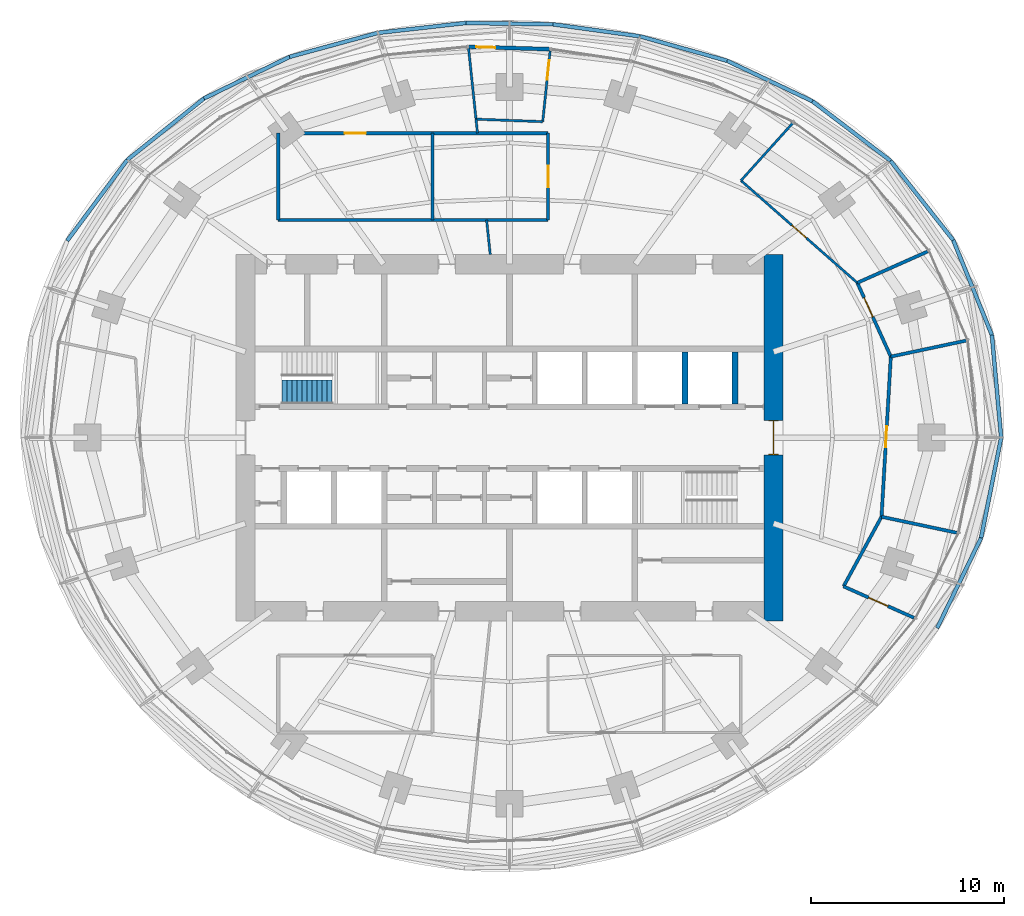
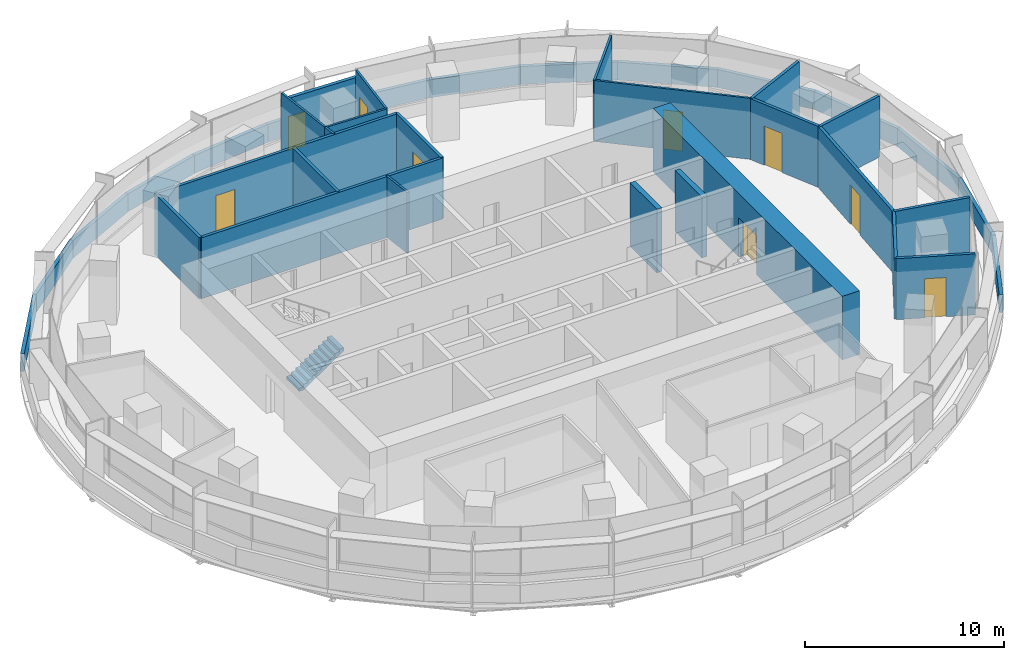
# One storey, part 14 of 17: 38 walls, 9 doors, 1 stair flight, 9 openings, 1 element without a shape of its own.
"""IFC4 building model written with IfcOpenShell, lengths in metres."""

from ifc_helpers import new_model, si_unit, direction, frame, frame_2d, origin, place, context, subcontext, project, spatial, polyline, rectangle, outline, extrude, material, layer, layer_set, type_object, element, fill, aggregate, save


model = new_model("IFC4")

# Units and contexts
model_context = context("Model", 3, precision=1e-05, world=origin(), true_north=direction((0.0, 1.0)))
body_context = subcontext(model_context, "Body", "Model", "MODEL_VIEW")
ifc_project = project(units=[si_unit("LENGTHUNIT", "METRE"), si_unit("AREAUNIT", "SQUARE_METRE"), si_unit("VOLUMEUNIT", "CUBIC_METRE"), si_unit("PLANEANGLEUNIT", "RADIAN"), si_unit("MASSUNIT", "GRAM", prefix="KILO")], contexts=[model_context])

# Site, building, storey
site_placement = place(None, origin())
site = spatial("IfcSite", under=ifc_project, at=site_placement, CompositionType="ELEMENT")
building_placement = place(site_placement, origin())
building = spatial("IfcBuilding", under=site, at=building_placement, Name="Marramba Exchange Tower", CompositionType="ELEMENT")
storey_placement = place(building_placement, frame((0.0, 0.0, 172.10009765625)))
storey = spatial("IfcBuildingStorey", under=building, at=storey_placement, Name="L41", CompositionType="ELEMENT", Elevation=172.10009765625)

# Wall, opening, door
ifc_material_1 = material(Name="Plasterboard on staggered double steel studs, acoustic insulation", Category="steel")
ifc_layer_1 = layer(ifc_material_1, 0.169921875)
ifc_layer_set_1 = layer_set([ifc_layer_1], Name="Acoustic partition 170")
wall_type_1 = type_object("IfcWallType", Name="Acoustic partition 170", PredefinedType="PARTITIONING", material=ifc_layer_set_1)
wall_1_placement = place(storey_placement, frame((17.334716796875, -7.718017578125, 0.0), z_axis=(0.0, 0.0, 1.0), x_axis=(0.913549606868, -0.406727323635, 0.0)))
wall_1 = element("IfcWall", 1, at=wall_1_placement, inside=storey, type_object=wall_type_1, Name="Acoustic partition L41 12", PredefinedType="PARTITIONING", context=body_context, shape_type="SweptSolid", body=[
    extrude(rectangle(XDim=4.0, YDim=0.169921875, at=frame_2d((2.0, 0.0))), origin(), (0.0, 0.0, 1.0), 3.739990234375),
])
opening_1_placement = place(wall_1_placement, frame((1.424072265625, 0.0, 0.0)))
opening_1 = element("IfcOpeningElement", 2, at=opening_1_placement, cuts=wall_1, Name="Opening D15", PredefinedType="OPENING", context=body_context, shape_type="SweptSolid", body=[
    extrude(rectangle(XDim=1.10009765625, YDim=2.39990234375, at=frame_2d((0.550048828125, 1.199951171875))), frame((0.0, 0.094970703125, 0.0), z_axis=(0.0, -1.0, 0.0), x_axis=(1.0, 0.0, 0.0)), (0.0, 0.0, 1.0), 0.18994140625),
])
ifc_material_2 = material(Name="Timber door", Category="wood")
door_type_1 = type_object("IfcDoorType", Name="Glazed meeting room door 1100x2400", OperationType="SINGLE_SWING_LEFT", PredefinedType="DOOR", material=ifc_material_2)
door_1_placement = place(opening_1_placement, origin())
door_1 = element("IfcDoor", 3, at=door_1_placement, inside=storey, type_object=door_type_1, Name="D15 Client Meeting Room 1 L41", OperationType="SINGLE_SWING_LEFT", OverallHeight=2.39990234375, OverallWidth=1.10009765625, PredefinedType="DOOR", context=body_context, shape_type="SweptSolid", body=[
    extrude(rectangle(XDim=1.10009765625, YDim=2.39990234375, at=frame_2d((0.550048828125, 1.199951171875))), frame((0.0, 0.02490234375, 0.0), z_axis=(0.0, -1.0, 0.0), x_axis=(1.0, 0.0, 0.0)), (0.0, 0.0, 1.0), 0.050048828125),
])
fill(opening_1, door_1)

# Walls
wall_2_placement = place(storey_placement, frame((19.3056640625, -4.103515625, 0.0), z_axis=(0.0, 0.0, 1.0), x_axis=(-0.478739945202, -0.877956755694, 0.0)))
element("IfcWall", 4, at=wall_2_placement, inside=storey, type_object=wall_type_1, Name="Acoustic partition L41 13", PredefinedType="PARTITIONING", context=body_context, shape_type="SweptSolid", body=[
    extrude(rectangle(XDim=4.116943359375, YDim=0.169921875, at=frame_2d((2.05859375, 0.0))), origin(), (0.0, 0.0, 1.0), 3.739990234375),
])
wall_3_placement = place(storey_placement, frame((19.3056640625, -4.103515625, 0.0), z_axis=(0.0, 0.0, 1.0), x_axis=(0.978137903693, -0.207957306576, 0.0)))
element("IfcWall", 5, at=wall_3_placement, inside=storey, type_object=wall_type_1, Name="Acoustic partition L41 14", PredefinedType="PARTITIONING", context=body_context, shape_type="SweptSolid", body=[
    extrude(rectangle(XDim=3.999755859375, YDim=0.169921875, at=frame_2d((2.0, 0.0))), origin(), (0.0, 0.0, 1.0), 3.739990234375),
])

# Wall, opening, door
wall_4_placement = place(storey_placement, frame((19.787841796875, 4.2060546875, 0.0), z_axis=(0.0, 0.0, 1.0), x_axis=(-0.0579293499, -0.998320685161, 0.0)))
wall_4 = element("IfcWall", 6, at=wall_4_placement, inside=storey, type_object=wall_type_1, Name="Acoustic partition L41 15", PredefinedType="PARTITIONING", context=body_context, shape_type="SweptSolid", body=[
    extrude(rectangle(XDim=8.323486328125, YDim=0.169921875, at=frame_2d((4.16162109375, 0.0))), origin(), (0.0, 0.0, 1.0), 3.739990234375),
])
opening_2_placement = place(wall_4_placement, frame((3.612060546875, 0.0, 0.0)))
opening_2 = element("IfcOpeningElement", 7, at=opening_2_placement, cuts=wall_4, Name="Opening D15", PredefinedType="OPENING", context=body_context, shape_type="SweptSolid", body=[
    extrude(rectangle(XDim=1.10009765625, YDim=2.39990234375, at=frame_2d((0.550048828125, 1.199951171875))), frame((0.0, 0.094970703125, 0.0), z_axis=(0.0, -1.0, 0.0), x_axis=(1.0, 0.0, 0.0)), (0.0, 0.0, 1.0), 0.18994140625),
])
door_2_placement = place(opening_2_placement, origin())
door_2 = element("IfcDoor", 8, at=door_2_placement, inside=storey, type_object=door_type_1, Name="D15 Client Meeting Room 2 L41", OperationType="SINGLE_SWING_RIGHT", OverallHeight=2.39990234375, OverallWidth=1.10009765625, PredefinedType="DOOR", context=body_context, shape_type="SweptSolid", body=[
    extrude(rectangle(XDim=1.10009765625, YDim=2.39990234375, at=frame_2d((0.550048828125, 1.199951171875))), frame((0.0, 0.02490234375, 0.0), z_axis=(0.0, -1.0, 0.0), x_axis=(1.0, 0.0, 0.0)), (0.0, 0.0, 1.0), 0.050048828125),
])
fill(opening_2, door_2)

# Wall
wall_5_placement = place(storey_placement, frame((19.787841796875, 4.2060546875, 0.0), z_axis=(0.0, 0.0, 1.0), x_axis=(0.978152955943, 0.207886494942, 0.0)))
element("IfcWall", 9, at=wall_5_placement, inside=storey, type_object=wall_type_1, Name="Acoustic partition L41 16", PredefinedType="PARTITIONING", context=body_context, shape_type="SweptSolid", body=[
    extrude(rectangle(XDim=4.0, YDim=0.169921875, at=frame_2d((2.0, 0.0))), origin(), (0.0, 0.0, 1.0), 3.739990234375),
])

# Wall, opening, door
wall_6_placement = place(storey_placement, frame((18.048828125, 8.035888671875, 0.0), z_axis=(0.0, 0.0, 1.0), x_axis=(0.413444314282, -0.910529405889, 0.0)))
wall_6 = element("IfcWall", 10, at=wall_6_placement, inside=storey, type_object=wall_type_1, Name="Acoustic partition L41 17", PredefinedType="PARTITIONING", context=body_context, shape_type="SweptSolid", body=[
    extrude(rectangle(XDim=4.2060546875, YDim=0.169921875, at=frame_2d((2.10302734375, 0.0))), origin(), (0.0, 0.0, 1.0), 3.739990234375),
])
opening_3_placement = place(wall_6_placement, frame((0.85107421875, 0.0, 0.0)))
opening_3 = element("IfcOpeningElement", 11, at=opening_3_placement, cuts=wall_6, Name="Opening D15", PredefinedType="OPENING", context=body_context, shape_type="SweptSolid", body=[
    extrude(rectangle(XDim=1.10009765625, YDim=2.39990234375, at=frame_2d((0.550048828125, 1.199951171875))), frame((0.0, 0.094970703125, 0.0), z_axis=(0.0, -1.0, 0.0), x_axis=(1.0, 0.0, 0.0)), (0.0, 0.0, 1.0), 0.18994140625),
])
door_3_placement = place(opening_3_placement, origin())
door_3 = element("IfcDoor", 12, at=door_3_placement, inside=storey, type_object=door_type_1, Name="D15 Client Meeting Room 3 L41", OperationType="SINGLE_SWING_LEFT", OverallHeight=2.39990234375, OverallWidth=1.10009765625, PredefinedType="DOOR", context=body_context, shape_type="SweptSolid", body=[
    extrude(rectangle(XDim=1.10009765625, YDim=2.39990234375, at=frame_2d((0.550048828125, 1.199951171875))), frame((0.0, 0.02490234375, 0.0), z_axis=(0.0, -1.0, 0.0), x_axis=(1.0, 0.0, 0.0)), (0.0, 0.0, 1.0), 0.050048828125),
])
fill(opening_3, door_3)

# Wall
wall_7_placement = place(storey_placement, frame((18.048828125, 8.035888671875, 0.0), z_axis=(0.0, 0.0, 1.0), x_axis=(0.913539509426, 0.406750002727, 0.0)))
element("IfcWall", 13, at=wall_7_placement, inside=storey, type_object=wall_type_1, Name="Acoustic partition L41 18", PredefinedType="PARTITIONING", context=body_context, shape_type="SweptSolid", body=[
    extrude(rectangle(XDim=4.0, YDim=0.169921875, at=frame_2d((2.0, 0.0))), origin(), (0.0, 0.0, 1.0), 3.739990234375),
])

# Wall, opening, door
wall_8_placement = place(storey_placement, frame((2.0, 11.300048828125, 0.0), z_axis=(0.0, 0.0, 1.0), x_axis=(0.0, 1.0, 0.0)))
wall_8 = element("IfcWall", 14, at=wall_8_placement, inside=storey, type_object=wall_type_1, Name="Acoustic partition L41 21", PredefinedType="PARTITIONING", context=body_context, shape_type="SweptSolid", body=[
    extrude(rectangle(XDim=4.5, YDim=0.169921875, at=frame_2d((2.25, 0.0))), origin(), (0.0, 0.0, 1.0), 3.739990234375),
])
opening_4_placement = place(wall_8_placement, frame((1.699951171875, 0.0, 0.0)))
opening_4 = element("IfcOpeningElement", 15, at=opening_4_placement, cuts=wall_8, Name="Opening D15", PredefinedType="OPENING", context=body_context, shape_type="SweptSolid", body=[
    extrude(rectangle(XDim=1.10009765625, YDim=2.39990234375, at=frame_2d((0.550048828125, 1.199951171875))), frame((0.0, 0.094970703125, 0.0), z_axis=(0.0, -1.0, 0.0), x_axis=(1.0, 0.0, 0.0)), (0.0, 0.0, 1.0), 0.18994140625),
])
door_4_placement = place(opening_4_placement, origin())
door_4 = element("IfcDoor", 16, at=door_4_placement, inside=storey, type_object=door_type_1, Name="D15 Meeting Room 2 L41", OperationType="SINGLE_SWING_RIGHT", OverallHeight=2.39990234375, OverallWidth=1.10009765625, PredefinedType="DOOR", context=body_context, shape_type="SweptSolid", body=[
    extrude(rectangle(XDim=1.10009765625, YDim=2.39990234375, at=frame_2d((0.550048828125, 1.199951171875))), frame((0.0, 0.02490234375, 0.0), z_axis=(0.0, -1.0, 0.0), x_axis=(1.0, 0.0, 0.0)), (0.0, 0.0, 1.0), 0.050048828125),
])
fill(opening_4, door_4)

# Wall
wall_9_placement = place(storey_placement, frame((-4.0, 15.800048828125, 0.0), z_axis=(0.0, 0.0, 1.0), x_axis=(0.0, -1.0, 0.0)))
element("IfcWall", 17, at=wall_9_placement, inside=storey, type_object=wall_type_1, Name="Acoustic partition L41 27", PredefinedType="PARTITIONING", context=body_context, shape_type="SweptSolid", body=[
    extrude(rectangle(XDim=4.5, YDim=0.169921875, at=frame_2d((2.25, 0.0))), origin(), (0.0, 0.0, 1.0), 3.739990234375),
])

# Wall, opening, door
wall_10_placement = place(storey_placement, frame((2.0, 15.800048828125, 0.0), z_axis=(0.0, 0.0, 1.0), x_axis=(-1.0, 0.0, 0.0)))
wall_10 = element("IfcWall", 18, at=wall_10_placement, inside=storey, type_object=wall_type_1, Name="Acoustic partition L41 28", PredefinedType="PARTITIONING", context=body_context, shape_type="SweptSolid", body=[
    extrude(rectangle(XDim=14.0, YDim=0.169921875, at=frame_2d((7.0, 0.0))), origin(), (0.0, 0.0, 1.0), 3.739990234375),
])
opening_5_placement = place(wall_10_placement, frame((9.449951171875, 0.0, 0.0)))
opening_5 = element("IfcOpeningElement", 19, at=opening_5_placement, cuts=wall_10, Name="Opening D15", PredefinedType="OPENING", context=body_context, shape_type="SweptSolid", body=[
    extrude(rectangle(XDim=1.10009765625, YDim=2.39990234375, at=frame_2d((0.550048828125, 1.199951171875))), frame((0.0, 0.094970703125, 0.0), z_axis=(0.0, -1.0, 0.0), x_axis=(1.0, 0.0, 0.0)), (0.0, 0.0, 1.0), 0.18994140625),
])
door_5_placement = place(opening_5_placement, origin())
door_5 = element("IfcDoor", 20, at=door_5_placement, inside=storey, type_object=door_type_1, Name="D15 Meeting Room 1 L41", OperationType="SINGLE_SWING_RIGHT", OverallHeight=2.39990234375, OverallWidth=1.10009765625, PredefinedType="DOOR", context=body_context, shape_type="SweptSolid", body=[
    extrude(rectangle(XDim=1.10009765625, YDim=2.39990234375, at=frame_2d((0.550048828125, 1.199951171875))), frame((0.0, 0.02490234375, 0.0), z_axis=(0.0, -1.0, 0.0), x_axis=(1.0, 0.0, 0.0)), (0.0, 0.0, 1.0), 0.050048828125),
])
fill(opening_5, door_5)

# Walls
wall_11_placement = place(storey_placement, frame((-12.0, 11.300048828125, 0.0), z_axis=(0.0, 0.0, 1.0), x_axis=(1.0, 0.0, 0.0)))
element("IfcWall", 21, at=wall_11_placement, inside=storey, type_object=wall_type_1, Name="Acoustic partition L41 29", PredefinedType="PARTITIONING", context=body_context, shape_type="SweptSolid", body=[
    extrude(rectangle(XDim=14.0, YDim=0.169921875, at=frame_2d((7.0, 0.0))), origin(), (0.0, 0.0, 1.0), 3.739990234375),
])
wall_12_placement = place(storey_placement, frame((-12.0, 15.800048828125, 0.0), z_axis=(0.0, 0.0, 1.0), x_axis=(0.0, -1.0, 0.0)))
element("IfcWall", 22, at=wall_12_placement, inside=storey, type_object=wall_type_1, Name="Acoustic partition L41 30", PredefinedType="PARTITIONING", context=body_context, shape_type="SweptSolid", body=[
    extrude(rectangle(XDim=4.5, YDim=0.169921875, at=frame_2d((2.25, 0.0))), origin(), (0.0, 0.0, 1.0), 3.739990234375),
])

# Wall, opening, door
ifc_material_3 = material(Name="Concrete N50", Category="concrete")
ifc_layer_2 = layer(ifc_material_3, 1.0)
ifc_layer_set_2 = layer_set([ifc_layer_2], Name="Core wall 1000")
wall_type_2 = type_object("IfcWallType", Name="Core wall 1000", PredefinedType="SHEAR", material=ifc_layer_set_2)
wall_13_placement = place(storey_placement, frame((13.699951171875, -9.5, 0.0), z_axis=(0.0, 0.0, 1.0), x_axis=(0.0, 1.0, 0.0)))
wall_13 = element("IfcWall", 23, at=wall_13_placement, inside=storey, type_object=wall_type_2, Name="Core wall E L41", PredefinedType="SHEAR", context=body_context, shape_type="SweptSolid", body=[
    extrude(rectangle(XDim=19.0, YDim=1.0, at=frame_2d((9.5, 0.0))), origin(), (0.0, 0.0, 1.0), 3.89990234375),
])
opening_6_placement = place(wall_13_placement, frame((8.60009765625, 0.0, 0.0)))
opening_6 = element("IfcOpeningElement", 24, at=opening_6_placement, cuts=wall_13, Name="Opening D1", PredefinedType="OPENING", context=body_context, shape_type="SweptSolid", body=[
    extrude(rectangle(XDim=1.800048828125, YDim=2.39990234375, at=frame_2d((0.89990234375, 1.199951171875))), frame((0.0, 0.510009765625, 0.0), z_axis=(0.0, -1.0, 0.0), x_axis=(1.0, 0.0, 0.0)), (0.0, 0.0, 1.0), 1.02001953125),
])
ifc_material_4 = material(Name="Steel-framed door", Category="steel")
door_type_2 = type_object("IfcDoorType", Name="Lobby exit door 1800x2400", OperationType="DOUBLE_DOOR_SINGLE_SWING", PredefinedType="DOOR", material=ifc_material_4)
door_6_placement = place(opening_6_placement, origin())
door_6 = element("IfcDoor", 25, at=door_6_placement, inside=storey, type_object=door_type_2, Name="D1 lobby exit east L41", OperationType="DOUBLE_DOOR_SINGLE_SWING", OverallHeight=2.39990234375, OverallWidth=1.800048828125, PredefinedType="DOOR", context=body_context, shape_type="SweptSolid", body=[
    extrude(rectangle(XDim=1.719970703125, YDim=2.35986328125, at=frame_2d((0.89990234375, 1.179931640625))), frame((0.0, 0.02490234375, 0.0), z_axis=(0.0, -1.0, 0.0), x_axis=(1.0, 0.0, 0.0)), (0.0, 0.0, 1.0), 0.050048828125),
    extrude(rectangle(XDim=0.04, YDim=2.39990234375, at=frame_2d((0.02001953125, 1.199951171875))), frame((0.0, 0.25, 0.0), z_axis=(0.0, -1.0, 0.0), x_axis=(1.0, 0.0, 0.0)), (0.0, 0.0, 1.0), 0.5),
    extrude(rectangle(XDim=0.04, YDim=2.39990234375, at=frame_2d((1.780029296875, 1.199951171875))), frame((0.0, 0.25, 0.0), z_axis=(0.0, -1.0, 0.0), x_axis=(1.0, 0.0, 0.0)), (0.0, 0.0, 1.0), 0.5),
    extrude(rectangle(XDim=1.719970703125, YDim=0.04, at=frame_2d((0.89990234375, 2.3798828125))), frame((0.0, 0.25, 0.0), z_axis=(0.0, -1.0, 0.0), x_axis=(1.0, 0.0, 0.0)), (0.0, 0.0, 1.0), 0.5),
])
fill(opening_6, door_6)

# Wall
ifc_layer_3 = layer(ifc_material_3, 0.300048828125)
ifc_layer_set_3 = layer_set([ifc_layer_3], Name="Core wall 300")
wall_type_3 = type_object("IfcWallType", Name="Core wall 300", PredefinedType="SHEAR", material=ifc_layer_set_3)
wall_14_placement = place(storey_placement, frame((9.10009765625, 1.75, 0.0), z_axis=(0.0, 0.0, 1.0), x_axis=(0.0, 1.0, 0.0)))
element("IfcWall", 26, at=wall_14_placement, inside=storey, type_object=wall_type_3, Name="Core wall ED L41", PredefinedType="SHEAR", context=body_context, shape_type="SweptSolid", body=[
    extrude(rectangle(XDim=2.699951171875, YDim=0.300048828125, at=frame_2d((1.35009765625, 0.0))), origin(), (0.0, 0.0, 1.0), 3.89990234375),
])

# Wall, opening, door
ifc_material_5 = material(Name="Aluminium-framed bronze cladding on steel studs", Category="steel")
ifc_layer_4 = layer(ifc_material_5, 0.199951171875)
ifc_layer_set_4 = layer_set([ifc_layer_4], Name="Door screen wall 200")
wall_type_4 = type_object("IfcWallType", Name="Door screen wall 200", PredefinedType="SOLIDWALL", material=ifc_layer_set_4)
wall_15_placement = place(storey_placement, frame((2.11865234375, 20.157470703125, 0.0), z_axis=(0.0, 0.0, 1.0), x_axis=(-0.999538806148, 0.030367334508, 0.0)))
wall_15 = element("IfcWall", 27, at=wall_15_placement, inside=storey, type_object=wall_type_4, Name="Door screen L41 F08", PredefinedType="SOLIDWALL", context=body_context, shape_type="SweptSolid", body=[
    extrude(rectangle(XDim=4.2529296875, YDim=0.199951171875, at=frame_2d((2.12646484375, 0.0))), origin(), (0.0, 0.0, 1.0), 3.27978515625),
])
opening_7_placement = place(wall_15_placement, frame((2.852783203125, 0.0, 0.0)))
opening_7 = element("IfcOpeningElement", 28, at=opening_7_placement, cuts=wall_15, Name="Opening D22", PredefinedType="OPENING", context=body_context, shape_type="SweptSolid", body=[
    extrude(rectangle(XDim=1.0, YDim=2.10009765625, at=frame_2d((0.5, 1.050048828125))), frame((0.0, 0.10986328125, 0.0), z_axis=(0.0, -1.0, 0.0), x_axis=(1.0, 0.0, 0.0)), (0.0, 0.0, 1.0), 0.219970703125),
])
ifc_material_6 = material(Name="Aluminium-framed glazed door, bronze", Category="aluminium")
door_type_3 = type_object("IfcDoorType", Name="Roof access door (maintenance only) 1000x2100", OperationType="SINGLE_SWING_LEFT", PredefinedType="DOOR", material=ifc_material_6)
door_7_placement = place(opening_7_placement, frame((1.0, 0.0, 0.0), z_axis=(0.0, 0.0, 1.0), x_axis=(-1.0, 0.0, 0.0)))
door_7 = element("IfcDoor", 29, at=door_7_placement, inside=storey, type_object=door_type_3, Name="Roof access door (maintenance only) L41", OperationType="SINGLE_SWING_RIGHT", OverallHeight=2.10009765625, OverallWidth=1.0, PredefinedType="DOOR", context=body_context, shape_type="SweptSolid", body=[
    extrude(rectangle(XDim=1.0, YDim=2.10009765625, at=frame_2d((0.5, 1.050048828125))), frame((0.0, 0.025146484375, 0.0), z_axis=(0.0, -1.0, 0.0), x_axis=(1.0, 0.0, 0.0)), (0.0, 0.0, 1.0), 0.050048828125),
])
fill(opening_7, door_7)

# Wall
ifc_material_7 = material(Name="Core-filled concrete blockwork", Category="masonry")
ifc_layer_5 = layer(ifc_material_7, 0.300048828125)
ifc_layer_set_5 = layer_set([ifc_layer_5], Name="Lift shaft wall 300")
wall_type_5 = type_object("IfcWallType", Name="Lift shaft wall 300", PredefinedType="SOLIDWALL", material=ifc_layer_set_5)
wall_16_placement = place(storey_placement, frame((11.699951171875, 1.75, 0.0), z_axis=(0.0, 0.0, 1.0), x_axis=(0.0, 1.0, 0.0)))
element("IfcWall", 30, at=wall_16_placement, inside=storey, type_object=wall_type_5, Name="Lift shaft wall E1 L41", PredefinedType="SOLIDWALL", context=body_context, shape_type="SweptSolid", body=[
    extrude(rectangle(XDim=2.699951171875, YDim=0.300048828125, at=frame_2d((1.35009765625, 0.0))), origin(), (0.0, 0.0, 1.0), 3.739990234375),
])

# Wall, opening, door
ifc_material_8 = material(Name="Plasterboard on steel studs", Category="steel")
ifc_layer_6 = layer(ifc_material_8, 0.1201171875)
ifc_layer_set_6 = layer_set([ifc_layer_6], Name="Partition 120")
wall_type_6 = type_object("IfcWallType", Name="Partition 120", PredefinedType="PARTITIONING", material=ifc_layer_set_6)
wall_17_placement = place(storey_placement, frame((12.012939453125, 13.341796875, 0.0), z_axis=(0.0, 0.0, 1.0), x_axis=(0.751063552333, -0.66022991477, 0.0)))
wall_17 = element("IfcWall", 31, at=wall_17_placement, inside=storey, type_object=wall_type_6, Name="Partition L41 19", PredefinedType="PARTITIONING", context=body_context, shape_type="SweptSolid", body=[
    extrude(rectangle(XDim=8.036376953125, YDim=0.1201171875, at=frame_2d((4.01806640625, 0.0))), origin(), (0.0, 0.0, 1.0), 3.739990234375),
])
opening_8_placement = place(wall_17_placement, frame((3.51806640625, 0.0, 0.0)))
opening_8 = element("IfcOpeningElement", 32, at=opening_8_placement, cuts=wall_17, Name="Opening D9", PredefinedType="OPENING", context=body_context, shape_type="SweptSolid", body=[
    extrude(rectangle(XDim=1.0, YDim=2.39990234375, at=frame_2d((0.5, 1.199951171875))), frame((0.0, 0.070068359375, 0.0), z_axis=(0.0, -1.0, 0.0), x_axis=(1.0, 0.0, 0.0)), (0.0, 0.0, 1.0), 0.14013671875),
])
door_type_4 = type_object("IfcDoorType", Name="Room door 1000x2400", OperationType="SINGLE_SWING_LEFT", PredefinedType="DOOR", material=ifc_material_2)
door_8_placement = place(opening_8_placement, origin())
door_8 = element("IfcDoor", 33, at=door_8_placement, inside=storey, type_object=door_type_4, Name="D9 Office 1 L41", OperationType="SINGLE_SWING_LEFT", OverallHeight=2.39990234375, OverallWidth=1.0, PredefinedType="DOOR", context=body_context, shape_type="SweptSolid", body=[
    extrude(rectangle(XDim=1.0, YDim=2.39990234375, at=frame_2d((0.5, 1.199951171875))), frame((0.0, 0.02490234375, 0.0), z_axis=(0.0, -1.0, 0.0), x_axis=(1.0, 0.0, 0.0)), (0.0, 0.0, 1.0), 0.050048828125),
])
fill(opening_8, door_8)

# Wall
wall_18_placement = place(storey_placement, frame((14.689453125, 16.314453125, 0.0), z_axis=(0.0, 0.0, 1.0), x_axis=(-0.669119832037, -0.743154526579, 0.0)))
element("IfcWall", 34, at=wall_18_placement, inside=storey, type_object=wall_type_6, Name="Partition L41 20", PredefinedType="PARTITIONING", context=body_context, shape_type="SweptSolid", body=[
    extrude(rectangle(XDim=4.0, YDim=0.1201171875, at=frame_2d((2.0, 0.0))), origin(), (0.0, 0.0, 1.0), 3.739990234375),
])

# Wall, opening, door
wall_19_placement = place(storey_placement, frame((1.723388671875, 16.398193359375, 0.0), z_axis=(0.0, 0.0, 1.0), x_axis=(0.10458517476, 0.994515933115, 0.0)))
wall_19 = element("IfcWall", 35, at=wall_19_placement, inside=storey, type_object=wall_type_6, Name="Partition L41 22", PredefinedType="PARTITIONING", context=body_context, shape_type="SweptSolid", body=[
    extrude(rectangle(XDim=3.699951171875, YDim=0.1201171875, at=frame_2d((1.85009765625, 0.0))), origin(), (0.0, 0.0, 1.0), 3.739990234375),
])
opening_9_placement = place(wall_19_placement, frame((2.196044921875, 0.0, 0.0)))
opening_9 = element("IfcOpeningElement", 36, at=opening_9_placement, cuts=wall_19, Name="Opening D9", PredefinedType="OPENING", context=body_context, shape_type="SweptSolid", body=[
    extrude(rectangle(XDim=1.0, YDim=2.39990234375, at=frame_2d((0.5, 1.199951171875))), frame((0.0, 0.070068359375, 0.0), z_axis=(0.0, -1.0, 0.0), x_axis=(1.0, 0.0, 0.0)), (0.0, 0.0, 1.0), 0.14013671875),
])
door_9_placement = place(opening_9_placement, origin())
door_9 = element("IfcDoor", 37, at=door_9_placement, inside=storey, type_object=door_type_4, Name="D9 Roof Maintenance Store L41", OperationType="SINGLE_SWING_RIGHT", OverallHeight=2.39990234375, OverallWidth=1.0, PredefinedType="DOOR", context=body_context, shape_type="SweptSolid", body=[
    extrude(rectangle(XDim=1.0, YDim=2.39990234375, at=frame_2d((0.5, 1.199951171875))), frame((0.0, 0.02490234375, 0.0), z_axis=(0.0, -1.0, 0.0), x_axis=(1.0, 0.0, 0.0)), (0.0, 0.0, 1.0), 0.050048828125),
])
fill(opening_9, door_9)

# Walls
wall_20_placement = place(storey_placement, frame((-1.737060546875, 16.52734375, 0.0), z_axis=(0.0, 0.0, 1.0), x_axis=(0.99930426624, -0.037295890845, 0.0)))
element("IfcWall", 38, at=wall_20_placement, inside=storey, type_object=wall_type_6, Name="Partition L41 23", PredefinedType="PARTITIONING", context=body_context, shape_type="SweptSolid", body=[
    extrude(rectangle(XDim=3.462890625, YDim=0.1201171875, at=frame_2d((1.7314453125, 0.0))), origin(), (0.0, 0.0, 1.0), 3.739990234375),
])
wall_21_placement = place(storey_placement, frame((-1.66064453125, 15.800048828125, 0.0), z_axis=(0.0, 0.0, 1.0), x_axis=(-0.104493621772, 0.99452555674, 0.0)))
element("IfcWall", 39, at=wall_21_placement, inside=storey, type_object=wall_type_6, Name="Partition L41 24", PredefinedType="PARTITIONING", context=body_context, shape_type="SweptSolid", body=[
    extrude(rectangle(XDim=0.731201171875, YDim=0.1201171875, at=frame_2d((0.36572265625, 0.0))), origin(), (0.0, 0.0, 1.0), 3.739990234375),
])
wall_22_placement = place(storey_placement, frame((-0.99853515625, 9.5, 0.0), z_axis=(0.0, 0.0, 1.0), x_axis=(-0.104537331683, 0.99452096322, 0.0)))
element("IfcWall", 40, at=wall_22_placement, inside=storey, type_object=wall_type_6, Name="Partition L41 25", PredefinedType="PARTITIONING", context=body_context, shape_type="SweptSolid", body=[
    extrude(rectangle(XDim=1.81005859375, YDim=0.1201171875, at=frame_2d((0.905029296875, 0.0))), origin(), (0.0, 0.0, 1.0), 3.739990234375),
])
wall_23_placement = place(storey_placement, frame((-2.123779296875, 20.20703125, 0.0), z_axis=(0.0, 0.0, 1.0), x_axis=(0.104519911488, -0.994522794159, 0.0)))
element("IfcWall", 41, at=wall_23_placement, inside=storey, type_object=wall_type_6, Name="Partition L41 26", PredefinedType="PARTITIONING", context=body_context, shape_type="SweptSolid", body=[
    extrude(rectangle(XDim=3.699951171875, YDim=0.1201171875, at=frame_2d((1.85009765625, 0.0))), origin(), (0.0, 0.0, 1.0), 3.739990234375),
])
ifc_material_9 = material(Name="Concrete N40", Category="concrete")
ifc_layer_7 = layer(ifc_material_9, 0.199951171875)
ifc_layer_set_7 = layer_set([ifc_layer_7], Name="Roof parapet 200")
wall_type_7 = type_object("IfcWallType", Name="Roof parapet 200", PredefinedType="PARAPET", material=ifc_layer_set_7)
wall_24_placement = place(storey_placement, frame((25.511962890625, 0.0, 0.0), z_axis=(0.0, 0.0, 1.0), x_axis=(-0.089522105657, 0.995984835526, 0.0)))
element("IfcWall", 42, at=wall_24_placement, inside=storey, type_object=wall_type_7, Name="Parapet L41 F01", PredefinedType="PARAPET", context=body_context, shape_type="SweptSolid", body=[
    extrude(rectangle(XDim=5.342529296875, YDim=0.199951171875, at=frame_2d((2.67138671875, 0.0))), origin(), (0.0, 0.0, 1.0), 1.099853515625),
])
wall_25_placement = place(storey_placement, frame((25.03369140625, 5.321044921875, 0.0), z_axis=(0.0, 0.0, 1.0), x_axis=(-0.377234248765, 0.926117876708, 0.0)))
element("IfcWall", 43, at=wall_25_placement, inside=storey, type_object=wall_type_7, Name="Parapet L41 F02", PredefinedType="PARAPET", context=body_context, shape_type="SweptSolid", body=[
    extrude(rectangle(XDim=5.32373046875, YDim=0.199951171875, at=frame_2d((2.661865234375, 0.0))), origin(), (0.0, 0.0, 1.0), 1.099853515625),
])
wall_26_placement = place(storey_placement, frame((23.025390625, 10.25146484375, 0.0), z_axis=(0.0, 0.0, 1.0), x_axis=(-0.620234251815, 0.784416644951, 0.0)))
element("IfcWall", 44, at=wall_26_placement, inside=storey, type_object=wall_type_7, Name="Parapet L41 F03", PredefinedType="PARAPET", context=body_context, shape_type="SweptSolid", body=[
    extrude(rectangle(XDim=5.24462890625, YDim=0.199951171875, at=frame_2d((2.622314453125, 0.0))), origin(), (0.0, 0.0, 1.0), 1.099853515625),
])
wall_27_placement = place(storey_placement, frame((19.7724609375, 14.365478515625, 0.0), z_axis=(0.0, 0.0, 1.0), x_axis=(-0.794914779667, 0.606721099902, 0.0)))
element("IfcWall", 45, at=wall_27_placement, inside=storey, type_object=wall_type_7, Name="Parapet L41 F04", PredefinedType="PARAPET", context=body_context, shape_type="SweptSolid", body=[
    extrude(rectangle(XDim=5.098388671875, YDim=0.199951171875, at=frame_2d((2.54931640625, 0.0))), origin(), (0.0, 0.0, 1.0), 1.099853515625),
])
wall_28_placement = place(storey_placement, frame((15.7197265625, 17.458740234375, 0.0), z_axis=(0.0, 0.0, 1.0), x_axis=(-0.903626215357, 0.428321915059, 0.0)))
element("IfcWall", 46, at=wall_28_placement, inside=storey, type_object=wall_type_7, Name="Parapet L41 F05", PredefinedType="PARAPET", context=body_context, shape_type="SweptSolid", body=[
    extrude(rectangle(XDim=4.900146484375, YDim=0.199951171875, at=frame_2d((2.4501953125, 0.0))), origin(), (0.0, 0.0, 1.0), 1.099853515625),
])
wall_29_placement = place(storey_placement, frame((11.291748046875, 19.5576171875, 0.0), z_axis=(0.0, 0.0, 1.0), x_axis=(-0.962774396335, 0.270306237002, 0.0)))
element("IfcWall", 47, at=wall_29_placement, inside=storey, type_object=wall_type_7, Name="Parapet L41 F06", PredefinedType="PARAPET", context=body_context, shape_type="SweptSolid", body=[
    extrude(rectangle(XDim=4.699462890625, YDim=0.199951171875, at=frame_2d((2.349609375, 0.0))), origin(), (0.0, 0.0, 1.0), 1.099853515625),
])
wall_30_placement = place(storey_placement, frame((6.767333984375, 20.827880859375, 0.0), z_axis=(0.0, 0.0, 1.0), x_axis=(-0.990633131846, 0.136550350011, 0.0)))
element("IfcWall", 48, at=wall_30_placement, inside=storey, type_object=wall_type_7, Name="Parapet L41 F07", PredefinedType="PARAPET", context=body_context, shape_type="SweptSolid", body=[
    extrude(rectangle(XDim=4.5556640625, YDim=0.199951171875, at=frame_2d((2.27783203125, 0.0))), origin(), (0.0, 0.0, 1.0), 1.099853515625),
])
wall_31_placement = place(storey_placement, frame((2.25439453125, 21.449951171875, 0.0), z_axis=(0.0, 0.0, 1.0), x_axis=(-0.999878834344, 0.015566522747, 0.0)))
element("IfcWall", 49, at=wall_31_placement, inside=storey, type_object=wall_type_7, Name="Parapet L41 F08", PredefinedType="PARAPET", context=body_context, shape_type="SweptSolid", body=[
    extrude(rectangle(XDim=4.516845703125, YDim=0.199951171875, at=frame_2d((2.25830078125, 0.0))), origin(), (0.0, 0.0, 1.0), 1.099853515625),
])
wall_32_placement = place(storey_placement, frame((-2.261962890625, 21.520263671875, 0.0), z_axis=(0.0, 0.0, 1.0), x_axis=(-0.993712031961, -0.111966055284, 0.0)))
element("IfcWall", 50, at=wall_32_placement, inside=storey, type_object=wall_type_7, Name="Parapet L41 F09", PredefinedType="PARAPET", context=body_context, shape_type="SweptSolid", body=[
    extrude(rectangle(XDim=4.592041015625, YDim=0.199951171875, at=frame_2d((2.2958984375, 0.0))), origin(), (0.0, 0.0, 1.0), 1.099853515625),
])
wall_33_placement = place(storey_placement, frame((-6.8251953125, 21.006103515625, 0.0), z_axis=(0.0, 0.0, 1.0), x_axis=(-0.965105771425, -0.261860363479, 0.0)))
element("IfcWall", 51, at=wall_33_placement, inside=storey, type_object=wall_type_7, Name="Parapet L41 F10", PredefinedType="PARAPET", context=body_context, shape_type="SweptSolid", body=[
    extrude(rectangle(XDim=4.750244140625, YDim=0.199951171875, at=frame_2d((2.375, 0.0))), origin(), (0.0, 0.0, 1.0), 1.099853515625),
])
wall_34_placement = place(storey_placement, frame((-11.40966796875, 19.76220703125, 0.0), z_axis=(0.0, 0.0, 1.0), x_axis=(-0.89948095446, -0.436959966774, 0.0)))
element("IfcWall", 52, at=wall_34_placement, inside=storey, type_object=wall_type_7, Name="Parapet L41 F11", PredefinedType="PARAPET", context=body_context, shape_type="SweptSolid", body=[
    extrude(rectangle(XDim=4.93798828125, YDim=0.199951171875, at=frame_2d((2.468994140625, 0.0))), origin(), (0.0, 0.0, 1.0), 1.099853515625),
])
wall_35_placement = place(storey_placement, frame((-15.851318359375, 17.6044921875, 0.0), z_axis=(0.0, 0.0, 1.0), x_axis=(-0.780229286327, -0.625493613682, 0.0)))
element("IfcWall", 53, at=wall_35_placement, inside=storey, type_object=wall_type_7, Name="Parapet L41 F12", PredefinedType="PARAPET", context=body_context, shape_type="SweptSolid", body=[
    extrude(rectangle(XDim=5.105712890625, YDim=0.199951171875, at=frame_2d((2.552734375, 0.0))), origin(), (0.0, 0.0, 1.0), 1.099853515625),
])
wall_36_placement = place(storey_placement, frame((-19.8349609375, 14.410888671875, 0.0), z_axis=(0.0, 0.0, 1.0), x_axis=(-0.596832393321, -0.802365935395, 0.0)))
element("IfcWall", 54, at=wall_36_placement, inside=storey, type_object=wall_type_7, Name="Parapet L41 F13", PredefinedType="PARAPET", context=body_context, shape_type="SweptSolid", body=[
    extrude(rectangle(XDim=5.22412109375, YDim=0.199951171875, at=frame_2d((2.612060546875, 0.0))), origin(), (0.0, 0.0, 1.0), 1.099853515625),
])
wall_37_placement = place(storey_placement, frame((22.19189453125, -9.88037109375, 0.0), z_axis=(0.0, 0.0, 1.0), x_axis=(0.437939288828, 0.899004549099, 0.0)))
element("IfcWall", 55, at=wall_37_placement, inside=storey, type_object=wall_type_7, Name="Parapet L41 F29", PredefinedType="PARAPET", context=body_context, shape_type="SweptSolid", body=[
    extrude(rectangle(XDim=5.20458984375, YDim=0.199951171875, at=frame_2d((2.602294921875, 0.0))), origin(), (0.0, 0.0, 1.0), 1.099853515625),
])
wall_38_placement = place(storey_placement, frame((24.47119140625, -5.201416015625, 0.0), z_axis=(0.0, 0.0, 1.0), x_axis=(0.196204643986, 0.980562969767, 0.0)))
element("IfcWall", 56, at=wall_38_placement, inside=storey, type_object=wall_type_7, Name="Parapet L41 F30", PredefinedType="PARAPET", context=body_context, shape_type="SweptSolid", body=[
    extrude(rectangle(XDim=5.304443359375, YDim=0.199951171875, at=frame_2d((2.65234375, 0.0))), origin(), (0.0, 0.0, 1.0), 1.099853515625),
])

# Stair, stair flight
ifc_material_10 = material(Name="Concrete N40 (40 MPa)", Category="concrete")
stair_type = type_object("IfcStairType", Name="Exit stair ST1 3900 x 1250", PredefinedType="HALF_TURN_STAIR", material=ifc_material_10)
stair_placement = place(storey_placement, origin())
stair = element("IfcStair", 57, at=stair_placement, inside=storey, type_object=stair_type, Name="Exit stair ST1 L41", PredefinedType="HALF_TURN_STAIR")
stair_flight_type = type_object("IfcStairFlightType", Name="ST1 stair flight 1773 riser 1250 wide", PredefinedType="STRAIGHT", material=ifc_material_10)
stair_flight_placement = place(storey_placement, frame((-11.800048828125, 2.375, 0.0), z_axis=(0.0, 0.0, 1.0), x_axis=(1.0, 0.0, 0.0)))
stair_flight = element("IfcStairFlight", 58, at=stair_flight_placement, type_object=stair_flight_type, Name="ST1 flight 1", NumberOfRisers=11, NumberOfTreads=10, PredefinedType="STRAIGHT", RiserHeight=0.177272727, TreadLength=0.26, context=body_context, shape_type="SweptSolid", body=[
    extrude(outline(polyline([(0.0, 0.0), (0.0, 0.17724609375), (0.260009765625, 0.17724609375), (0.260009765625, 0.3544921875), (0.52001953125, 0.3544921875), (0.52001953125, 0.53173828125), (0.780029296875, 0.53173828125), (0.780029296875, 0.708984375), (1.0400390625, 0.708984375), (1.0400390625, 0.886474609375), (1.300048828125, 0.886474609375), (1.300048828125, 1.063720703125), (1.56005859375, 1.063720703125), (1.56005859375, 1.240966796875), (1.820068359375, 1.240966796875), (1.820068359375, 1.418212890625), (2.080078125, 1.418212890625), (2.080078125, 1.595458984375), (2.340087890625, 1.595458984375), (2.340087890625, 1.772705078125), (2.60009765625, 1.772705078125), (2.60009765625, 1.949951171875), (2.60009765625, 1.59130859375), (0.26611328125, 0.0), (0.0, 0.0)])), frame((0.0, 0.625, 0.0), z_axis=(0.0, -1.0, 0.0), x_axis=(1.0, 0.0, 0.0)), (0.0, 0.0, 1.0), 1.25),
])
aggregate(stair, [stair_flight])

save(model, "model.ifc")
